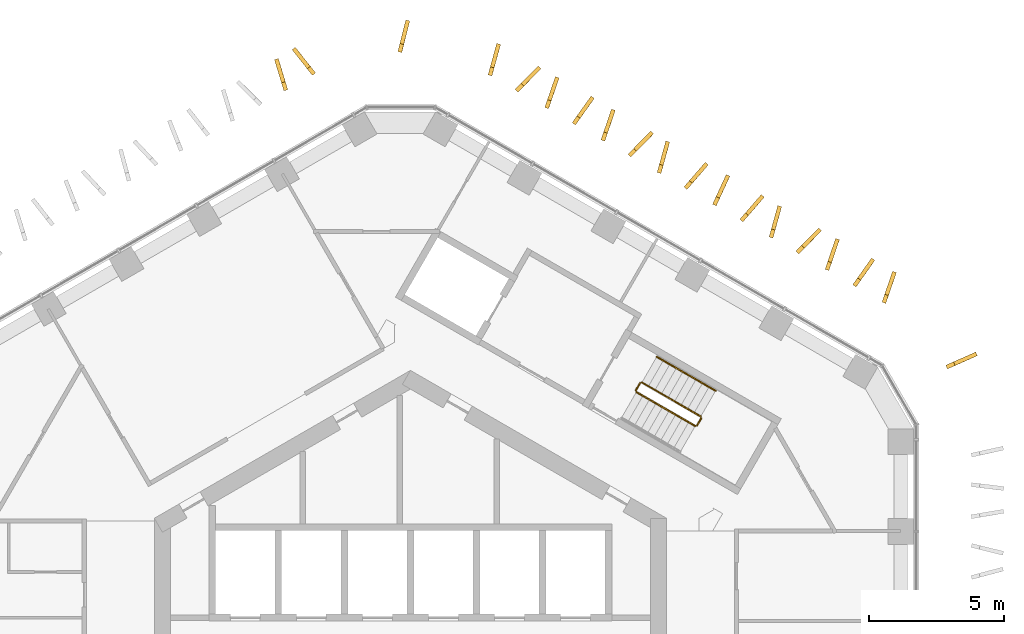
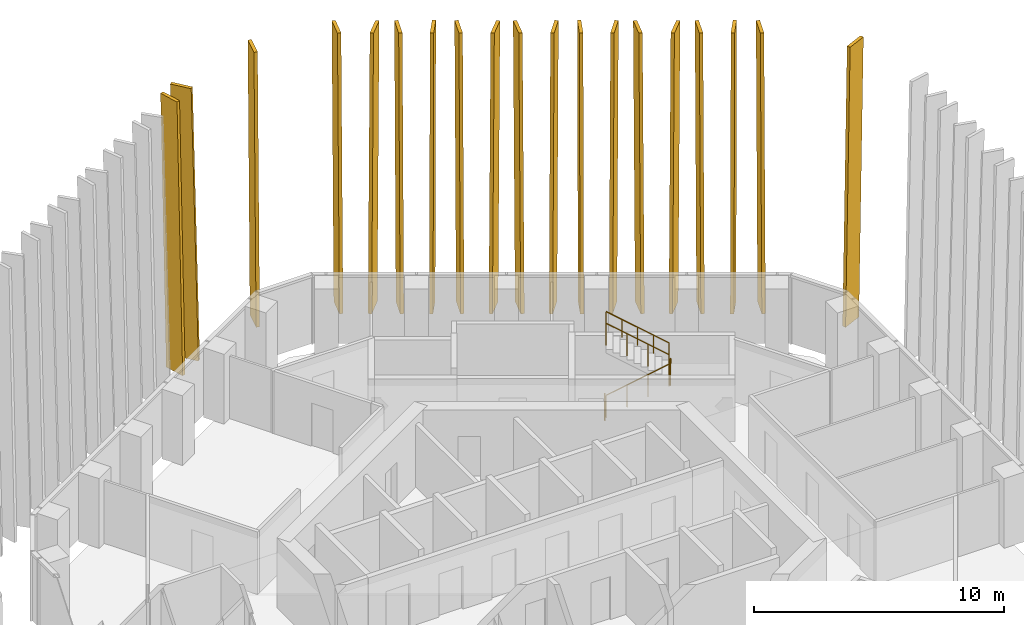
# One storey, part 21 of 21: 19 shading devices, 6 railings.
"""IFC4 building model written with IfcOpenShell, lengths in metres."""

from ifc_helpers import new_model, si_unit, direction, frame, origin, origin_2d, place, context, subcontext, project, spatial, polyline, circle, outline, extrude, material, layer, layer_set, type_object, element, save


model = new_model("IFC4")

# Units and contexts
model_context = context("Model", 3, precision=1e-05, world=origin(), true_north=direction((0.0, 1.0)))
body_context = subcontext(model_context, "Body", "Model", "MODEL_VIEW")
ifc_project = project(units=[si_unit("LENGTHUNIT", "METRE"), si_unit("AREAUNIT", "SQUARE_METRE"), si_unit("VOLUMEUNIT", "CUBIC_METRE"), si_unit("PLANEANGLEUNIT", "RADIAN"), si_unit("MASSUNIT", "GRAM", prefix="KILO")], contexts=[model_context])

# Site, building, storey
site_placement = place(None, origin())
site = spatial("IfcSite", under=ifc_project, at=site_placement, CompositionType="ELEMENT")
building_placement = place(site_placement, origin())
building = spatial("IfcBuilding", under=site, at=building_placement, Name="Ayvan Gate Tower", CompositionType="ELEMENT")
storey_placement = place(building_placement, frame((0.0, 0.0, 173.10009765625)))
storey = spatial("IfcBuildingStorey", under=building, at=storey_placement, Name="L46", CompositionType="ELEMENT", Elevation=173.10009765625)

# Shading devices
ifc_material_1 = material(Name="Bronze anodised aluminium", Category="aluminium")
ifc_layer = layer(ifc_material_1, 0.14990234375)
ifc_layer_set = layer_set([ifc_layer], Name="Bronze anodised aluminium")
shading_device_type = type_object("IfcShadingDeviceType", Name="Bronze fin 900 x 150", PredefinedType="USERDEFINED", material=ifc_layer_set)
shading_device_1_placement = place(storey_placement, frame((-3.519287109375, 22.007568359375, 0.0), z_axis=(0.784507655812, 0.620119122126, 0.000111112244), x_axis=(-0.620119125954, 0.784507660655, 0.0)))
element("IfcShadingDevice", 1, at=shading_device_1_placement, inside=storey, type_object=shading_device_type, Name="Bronze fin FG17.1.1", ObjectType="FIN", PredefinedType="USERDEFINED", context=body_context, shape_type="SweptSolid", body=[
    extrude(outline(polyline([(0.0, 0.0), (0.8999971866563694, -6.776263578034403e-21), (1.2095580558796373, 13.199951253357844), (0.3095608692232678, 13.199951253357844), (0.0, 0.0)])), origin(), (0.0, 0.0, -1.0), 0.14990234375),
])
shading_device_2_placement = place(storey_placement, frame((-4.550537109375, 21.3828125, 0.0), z_axis=(0.957527132135, 0.288343156221, 0.000124441671), x_axis=(-0.288343158453, 0.957527139549, 0.0)))
element("IfcShadingDevice", 2, at=shading_device_2_placement, inside=storey, type_object=shading_device_type, Name="Bronze fin FG17.1.2", ObjectType="FIN", PredefinedType="USERDEFINED", context=body_context, shape_type="SweptSolid", body=[
    extrude(outline(polyline([(0.0, 0.0), (0.9000438427842659, 6.776263578034403e-21), (1.2095620429986695, 13.199951274080439), (0.30951820021440357, 13.199951274080439), (0.0, 0.0)])), origin(), (0.0, 0.0, -1.0), 0.14990234375),
])
shading_device_3_placement = place(storey_placement, frame((19.92138671875, 11.023681640625, 0.0), z_axis=(0.403897299887, -0.914804327649, 0.000115143208), x_axis=(0.914804333714, 0.403897302564, -6.307e-09)))
element("IfcShadingDevice", 3, at=shading_device_3_placement, inside=storey, type_object=shading_device_type, Name="Bronze fin FG17.10.80", ObjectType="FIN", PredefinedType="USERDEFINED", context=body_context, shape_type="SweptSolid", body=[
    extrude(outline(polyline([(0.0, 0.0), (0.900155786409765, 0.0), (1.2096399340214066, 13.479980565737339), (0.3097074885134273, 13.479980554384737), (0.0, 0.0)])), origin(), (0.0, 0.0, -1.0), 0.14990234375),
])
shading_device_4_placement = place(storey_placement, frame((17.63232421875, 13.45361328125, 0.0), z_axis=(0.945266275008, -0.326299950885, 0.000106699403), x_axis=(0.326299952743, 0.945266280389, 0.0)))
element("IfcShadingDevice", 4, at=shading_device_4_placement, inside=storey, type_object=shading_device_type, Name="Bronze fin FG17.11.81", ObjectType="FIN", PredefinedType="USERDEFINED", context=body_context, shape_type="SweptSolid", body=[
    extrude(outline(polyline([(0.0, 0.0), (0.9000956616954343, 3.3881317890172014e-21), (1.2095316766333262, 13.479980545483192), (0.3094360149378917, 13.479980545483192), (0.0, 0.0)])), origin(), (0.0, 0.0, -1.0), 0.14990234375),
])
shading_device_5_placement = place(storey_placement, frame((16.5283203125, 14.06396484375, 0.0), z_axis=(0.81569914026, -0.578476360693, 0.000112682268), x_axis=(0.578476364365, 0.81569914544, 1.2468e-08)))
element("IfcShadingDevice", 5, at=shading_device_5_placement, inside=storey, type_object=shading_device_type, Name="Bronze fin FG17.11.82", ObjectType="FIN", PredefinedType="USERDEFINED", context=body_context, shape_type="SweptSolid", body=[
    extrude(outline(polyline([(0.0, 0.0), (0.8999313816316767, -6.776263578034403e-21), (1.2096007348982585, 13.4799805392487), (0.30952812368543786, 13.479980561690606), (0.0, 0.0)])), origin(), (0.0, 0.0, -1.0), 0.14990234375),
])
shading_device_6_placement = place(storey_placement, frame((15.5224609375, 14.672119140625, 0.0), z_axis=(0.946088523392, -0.323908156826, 0.000108845555), x_axis=(0.323908158745, 0.946088528996, -4.783e-09)))
element("IfcShadingDevice", 6, at=shading_device_6_placement, inside=storey, type_object=shading_device_type, Name="Bronze fin FG17.11.83", ObjectType="FIN", PredefinedType="USERDEFINED", context=body_context, shape_type="SweptSolid", body=[
    extrude(outline(polyline([(0.0, 0.0), (0.8998430278690683, -6.776263578034403e-21), (1.2095063462459332, 13.479980554385799), (0.30943233973209033, 13.47998054577728), (0.0, 0.0)])), origin(), (0.0, 0.0, -1.0), 0.14990234375),
])
shading_device_7_placement = place(storey_placement, frame((14.399658203125, 15.2841796875, 0.0), z_axis=(0.712376917039, -0.701797061835, 0.000109859522), x_axis=(0.70179706607, 0.712376921338, 0.0)))
element("IfcShadingDevice", 7, at=shading_device_7_placement, inside=storey, type_object=shading_device_type, Name="Bronze fin FG17.11.84", ObjectType="FIN", PredefinedType="USERDEFINED", context=body_context, shape_type="SweptSolid", body=[
    extrude(outline(polyline([(0.0, 0.0), (0.8999635755267725, 0.0), (1.209687805290752, 13.479980550095716), (0.30972422976397934, 13.479980550095716), (0.0, 0.0)])), origin(), (0.0, 0.0, -1.0), 0.14990234375),
])
shading_device_8_placement = place(storey_placement, frame((13.447998046875, 15.877197265625, 0.0), z_axis=(0.963564526146, -0.26747596362, 0.000113306703), x_axis=(0.267475965337, 0.963564532331, 0.0)))
element("IfcShadingDevice", 8, at=shading_device_8_placement, inside=storey, type_object=shading_device_type, Name="Bronze fin FG17.11.85", ObjectType="FIN", PredefinedType="USERDEFINED", context=body_context, shape_type="SweptSolid", body=[
    extrude(outline(polyline([(0.0, 0.0), (0.8999786427400962, 0.0), (1.2094290625395412, 13.479980555280752), (0.30945041979944504, 13.479980555280752), (0.0, 0.0)])), origin(), (0.0, 0.0, -1.0), 0.14990234375),
])
shading_device_9_placement = place(storey_placement, frame((12.334228515625, 16.479736328125, 0.0), z_axis=(0.755577171599, -0.655059634049, 0.000116608338), x_axis=(0.655059638502, 0.755577176737, 1.1953e-08)))
element("IfcShadingDevice", 9, at=shading_device_9_placement, inside=storey, type_object=shading_device_type, Name="Bronze fin FG17.11.86", ObjectType="FIN", PredefinedType="USERDEFINED", context=body_context, shape_type="SweptSolid", body=[
    extrude(outline(polyline([(0.0, 0.0), (0.8998038097060437, -1.3552527156068805e-20), (1.2093607348493398, 13.479980545941766), (0.3093969984737401, 13.479980567454078), (0.0, 0.0)])), origin(), (0.0, 0.0, -1.0), 0.14990234375),
])
shading_device_10_placement = place(storey_placement, frame((11.34423828125, 17.072998046875, 0.0), z_axis=(0.908391560162, -0.418120510597, 0.000109749265), x_axis=(0.418120513114, 0.908391565633, 1.3522e-08)))
element("IfcShadingDevice", 10, at=shading_device_10_placement, inside=storey, type_object=shading_device_type, Name="Bronze fin FG17.11.87", ObjectType="FIN", PredefinedType="USERDEFINED", context=body_context, shape_type="SweptSolid", body=[
    extrude(outline(polyline([(0.0, 0.0), (0.9000310214877436, 0.0), (1.2095519889451802, 13.47998053357747), (0.3094188872540396, 13.479980557918525), (0.0, 0.0)])), origin(), (0.0, 0.0, -1.0), 0.14990234375),
])
shading_device_11_placement = place(storey_placement, frame((10.2578125, 17.678466796875, 0.0), z_axis=(0.755008372869, -0.655715140935, 0.00010414616), x_axis=(0.655715144492, 0.755008376963, 0.0)))
element("IfcShadingDevice", 11, at=shading_device_11_placement, inside=storey, type_object=shading_device_type, Name="Bronze fin FG17.11.88", ObjectType="FIN", PredefinedType="USERDEFINED", context=body_context, shape_type="SweptSolid", body=[
    extrude(outline(polyline([(0.0, 0.0), (0.899914994463948, 0.0), (1.2094461162305574, 13.479980541854784), (0.30953112176660963, 13.479980541854784), (0.0, 0.0)])), origin(), (0.0, 0.0, -1.0), 0.14990234375),
])
shading_device_12_placement = place(storey_placement, frame((9.295654296875, 18.2744140625, 0.0), z_axis=(0.963679012247, -0.267063191431, 0.000114618451), x_axis=(0.267063193186, 0.963679018577, -1.0828e-08)))
element("IfcShadingDevice", 12, at=shading_device_12_placement, inside=storey, type_object=shading_device_type, Name="Bronze fin FG17.11.89", ObjectType="FIN", PredefinedType="USERDEFINED", context=body_context, shape_type="SweptSolid", body=[
    extrude(outline(polyline([(0.0, 0.0), (0.900148632395474, -6.776263578034403e-21), (1.2095343311274918, 13.479980570392577), (0.3096861729048115, 13.479980550902416), (0.0, 0.0)])), origin(), (0.0, 0.0, -1.0), 0.14990234375),
])
shading_device_13_placement = place(storey_placement, frame((8.171142578125, 18.88037109375, 0.0), z_axis=(0.712712840902, -0.70145591116, 0.000105414844), x_axis=(0.701455915058, 0.712712844861, -1.003e-08)))
element("IfcShadingDevice", 13, at=shading_device_13_placement, inside=storey, type_object=shading_device_type, Name="Bronze fin FG17.11.90", ObjectType="FIN", PredefinedType="USERDEFINED", context=body_context, shape_type="SweptSolid", body=[
    extrude(outline(polyline([(0.0, 0.0), (0.899966220651943, 6.776263578034403e-21), (1.2095197348567588, 13.47998055577779), (0.3093795120454259, 13.479980537723343), (0.0, 0.0)])), origin(), (0.0, 0.0, -1.0), 0.14990234375),
])
shading_device_14_placement = place(storey_placement, frame((7.208984375, 19.471923828125, 0.0), z_axis=(0.945991112857, -0.324192537959, 0.000112812645), x_axis=(0.324192540022, 0.945991118877, 0.0)))
element("IfcShadingDevice", 14, at=shading_device_14_placement, inside=storey, type_object=shading_device_type, Name="Bronze fin FG17.11.91", ObjectType="FIN", PredefinedType="USERDEFINED", context=body_context, shape_type="SweptSolid", body=[
    extrude(outline(polyline([(0.0, 0.0), (0.8999221476685185, 0.0), (1.2093541087232398, 13.47998055452779), (0.3094319610547211, 13.47998055452779), (0.0, 0.0)])), origin(), (0.0, 0.0, -1.0), 0.14990234375),
])
shading_device_15_placement = place(storey_placement, frame((6.12109375, 20.072509765625, 0.0), z_axis=(0.815133214311, -0.579273537159, 0.000109881157), x_axis=(0.579273540657, 0.815133219232, -1.2147e-08)))
element("IfcShadingDevice", 15, at=shading_device_15_placement, inside=storey, type_object=shading_device_type, Name="Bronze fin FG17.11.92", ObjectType="FIN", PredefinedType="USERDEFINED", context=body_context, shape_type="SweptSolid", body=[
    extrude(outline(polyline([(0.0, 0.0), (0.9000985367758785, -6.776263578034403e-21), (1.2095670154851708, 13.479980564820465), (0.3096099029135542, 13.47998054295505), (0.0, 0.0)])), origin(), (0.0, 0.0, -1.0), 0.14990234375),
])
shading_device_16_placement = place(storey_placement, frame((5.123291015625, 20.675537109375, 0.0), z_axis=(0.944774607475, -0.327720811437, 0.00010402297), x_axis=(0.32772081321, 0.944774612587, 4.624e-09)))
element("IfcShadingDevice", 16, at=shading_device_16_placement, inside=storey, type_object=shading_device_type, Name="Bronze fin FG17.11.93", ObjectType="FIN", PredefinedType="USERDEFINED", context=body_context, shape_type="SweptSolid", body=[
    extrude(outline(polyline([(0.0, 0.0), (0.9000333784175567, 0.0), (1.209396305467855, 13.479980536090121), (0.30959358491469935, 13.479980544411928), (0.0, 0.0)])), origin(), (0.0, 0.0, -1.0), 0.14990234375),
])
shading_device_17_placement = place(storey_placement, frame((3.992919921875, 21.29248046875, 0.0), z_axis=(0.713385195173, -0.700772110924, 0.000108897086), x_axis=(0.70077211508, 0.713385199402, -1.0535e-08)))
element("IfcShadingDevice", 17, at=shading_device_17_placement, inside=storey, type_object=shading_device_type, Name="Bronze fin FG17.11.94", ObjectType="FIN", PredefinedType="USERDEFINED", context=body_context, shape_type="SweptSolid", body=[
    extrude(outline(polyline([(0.0, 0.0), (0.900146049754602, 0.0), (1.209703938988997, 13.479980561421002), (0.30972897617655337, 13.4799805424566), (0.0, 0.0)])), origin(), (0.0, 0.0, -1.0), 0.14990234375),
])
shading_device_18_placement = place(storey_placement, frame((3.024169921875, 21.895263671875, 0.0), z_axis=(0.963758453554, -0.266776369004, 0.000110200128), x_axis=(0.266776370622, 0.963758459407, 1.4405e-08)))
element("IfcShadingDevice", 18, at=shading_device_18_placement, inside=storey, type_object=shading_device_type, Name="Bronze fin FG17.11.95", ObjectType="FIN", PredefinedType="USERDEFINED", context=body_context, shape_type="SweptSolid", body=[
    extrude(outline(polyline([(0.0, 0.0), (0.9000183053205616, -6.776263578034403e-21), (1.209705239178147, 13.47998053317527), (0.3096218029077266, 13.479980559105483), (0.0, 0.0)])), origin(), (0.0, 0.0, -1.0), 0.14990234375),
])
shading_device_19_placement = place(storey_placement, frame((-0.321533203125, 22.7578125, 0.0), z_axis=(0.96940411343, -0.245470263753, 0.000120325524), x_axis=(0.24547026553, 0.969404120447, 0.0)))
element("IfcShadingDevice", 19, at=shading_device_19_placement, inside=storey, type_object=shading_device_type, Name="Bronze fin FG17.12.96", ObjectType="FIN", PredefinedType="USERDEFINED", context=body_context, shape_type="SweptSolid", body=[
    extrude(outline(polyline([(0.0, 0.0), (0.9000978800742404, -3.3881317890172014e-21), (1.2097182177836026, 13.199951267430976), (0.309620337709362, 13.199951267430976), (0.0, 0.0)])), origin(), (0.0, 0.0, -1.0), 0.14990234375),
])

# Railings
ifc_material_2 = material(Name="Stainless steel balustrade", Category="steel")
railing_type_1 = type_object("IfcRailingType", Name="RL-GUARD-1100", PredefinedType="GUARDRAIL", material=ifc_material_2)
railing_1_placement = place(storey_placement, frame((8.381103515625, 10.16650390625, 0.169921875)))
element("IfcRailing", 20, at=railing_1_placement, inside=storey, type_object=railing_type_1, Name="L46 STS1 stair guard 1", PredefinedType="GUARDRAIL", context=body_context, shape_type="SweptSolid", body=[
    extrude(circle(Radius=0.02392578125, at=origin_2d()), frame((0.0, 0.0, 1.076171875), z_axis=(0.740261155115, -0.427395438142, 0.518986090067), x_axis=(0.500004791531, 0.866022637375, 0.0)), (0.0, 0.0, 1.0), 2.947998046875),
    extrude(circle(Radius=0.02099609375, at=origin_2d()), origin(), (0.0, 0.0, 1.0), 1.052001953125),
    extrude(circle(Radius=0.02099609375, at=origin_2d()), frame((0.7275390625, -0.419921875, 0.510009765625)), (0.0, 0.0, 1.0), 1.052001953125),
    extrude(circle(Radius=0.02099609375, at=origin_2d()), frame((1.454833984375, -0.840087890625, 1.02001953125)), (0.0, 0.0, 1.0), 1.052001953125),
    extrude(circle(Radius=0.02099609375, at=origin_2d()), frame((2.182373046875, -1.260009765625, 1.530029296875)), (0.0, 0.0, 1.0), 1.052001953125),
])
railing_2_placement = place(storey_placement, frame((10.6318359375, 8.9248046875, 1.699951171875)))
element("IfcRailing", 21, at=railing_2_placement, inside=storey, type_object=railing_type_1, Name="L46 STS1 stair guard 2", PredefinedType="GUARDRAIL", context=body_context, shape_type="SweptSolid", body=[
    extrude(circle(Radius=0.02392578125, at=origin_2d()), frame((0.0, 0.0, 1.076171875), z_axis=(0.499949632511, 0.866054481515, 0.0), x_axis=(-0.866054481515, 0.499949632511, 0.0)), (0.0, 0.0, 1.0), 0.31005859375),
    extrude(circle(Radius=0.02099609375, at=origin_2d()), origin(), (0.0, 0.0, 1.0), 1.052001953125),
    extrude(circle(Radius=0.02099609375, at=origin_2d()), frame((0.155029296875, 0.2685546875, 0.0)), (0.0, 0.0, 1.0), 1.052001953125),
])
railing_3_placement = place(storey_placement, frame((10.7685546875, 9.261474609375, 1.869873046875)))
element("IfcRailing", 22, at=railing_3_placement, inside=storey, type_object=railing_type_1, Name="L46 STS1 stair guard 3", PredefinedType="GUARDRAIL", context=body_context, shape_type="SweptSolid", body=[
    extrude(circle(Radius=0.02392578125, at=origin_2d()), frame((0.0, 0.0, 1.076171875), z_axis=(-0.740261155115, 0.427395438142, 0.518986090067), x_axis=(-0.500004791531, -0.866022637375, 0.0)), (0.0, 0.0, 1.0), 2.947998046875),
    extrude(circle(Radius=0.02099609375, at=origin_2d()), origin(), (0.0, 0.0, 1.0), 1.052001953125),
    extrude(circle(Radius=0.02099609375, at=origin_2d()), frame((-0.7275390625, 0.419921875, 0.510009765625)), (0.0, 0.0, 1.0), 1.052001953125),
    extrude(circle(Radius=0.02099609375, at=origin_2d()), frame((-1.454833984375, 0.840087890625, 1.02001953125)), (0.0, 0.0, 1.0), 1.052001953125),
    extrude(circle(Radius=0.02099609375, at=origin_2d()), frame((-2.182373046875, 1.260009765625, 1.530029296875)), (0.0, 0.0, 1.0), 1.052001953125),
])
railing_4_placement = place(storey_placement, frame((8.36279296875, 10.23486328125, 0.0)))
element("IfcRailing", 23, at=railing_4_placement, inside=storey, type_object=railing_type_1, Name="L46 STS1 stair guard 4", PredefinedType="GUARDRAIL", context=body_context, shape_type="SweptSolid", body=[
    extrude(circle(Radius=0.02392578125, at=origin_2d()), frame((0.0, 0.0, 1.076171875), z_axis=(0.500290723946, 0.86585748916, 0.0), x_axis=(-0.86585748916, 0.500290723946, 0.0)), (0.0, 0.0, 1.0), 0.309814453125),
    extrude(circle(Radius=0.02099609375, at=origin_2d()), origin(), (0.0, 0.0, 1.0), 1.052001953125),
    extrude(circle(Radius=0.02099609375, at=origin_2d()), frame((0.155029296875, 0.268310546875, 0.0)), (0.0, 0.0, 1.0), 1.052001953125),
])
railing_type_2 = type_object("IfcRailingType", Name="RL-HANDRAIL-900", PredefinedType="HANDRAIL", material=ifc_material_2)
railing_5_placement = place(storey_placement, frame((11.318603515625, 10.214111328125, 1.869873046875)))
element("IfcRailing", 24, at=railing_5_placement, inside=storey, type_object=railing_type_2, Name="L46 STS1 stair handrail 3", PredefinedType="HANDRAIL", context=body_context, shape_type="SweptSolid", body=[
    extrude(circle(Radius=0.02392578125, at=origin_2d()), frame((0.0, 0.0, 0.8759765625), z_axis=(-0.740240574041, 0.427418550694, 0.518996411419), x_axis=(-0.500035496587, -0.86600490885, 0.0)), (0.0, 0.0, 1.0), 1.474365234375),
    extrude(circle(Radius=0.02099609375, at=origin_2d()), origin(), (0.0, 0.0, 1.0), 0.851806640625),
    extrude(circle(Radius=0.02099609375, at=origin_2d()), frame((-0.545654296875, 0.31494140625, 0.382568359375)), (0.0, 0.0, 1.0), 0.851806640625),
    extrude(circle(Radius=0.02099609375, at=origin_2d()), frame((-1.09130859375, 0.630126953125, 0.76513671875)), (0.0, 0.0, 1.0), 0.851806640625),
])
railing_6_placement = place(storey_placement, frame((10.227294921875, 10.84423828125, 2.635009765625)))
element("IfcRailing", 25, at=railing_6_placement, inside=storey, type_object=railing_type_2, Name="L46 STS1 stair handrail 4", PredefinedType="HANDRAIL", context=body_context, shape_type="SweptSolid", body=[
    extrude(circle(Radius=0.02392578125, at=origin_2d()), frame((0.0, 0.0, 0.8759765625), z_axis=(-0.740356597536, 0.427319915356, 0.518912129772), x_axis=(-0.499890179513, -0.866088799389, 0.0)), (0.0, 0.0, 1.0), 1.47412109375),
    extrude(circle(Radius=0.02099609375, at=origin_2d()), origin(), (0.0, 0.0, 1.0), 0.851806640625),
    extrude(circle(Radius=0.02099609375, at=origin_2d()), frame((-0.545654296875, 0.31494140625, 0.38232421875)), (0.0, 0.0, 1.0), 0.851806640625),
    extrude(circle(Radius=0.02099609375, at=origin_2d()), frame((-1.09130859375, 0.6298828125, 0.764892578125)), (0.0, 0.0, 1.0), 0.851806640625),
])

save(model, "model.ifc")
